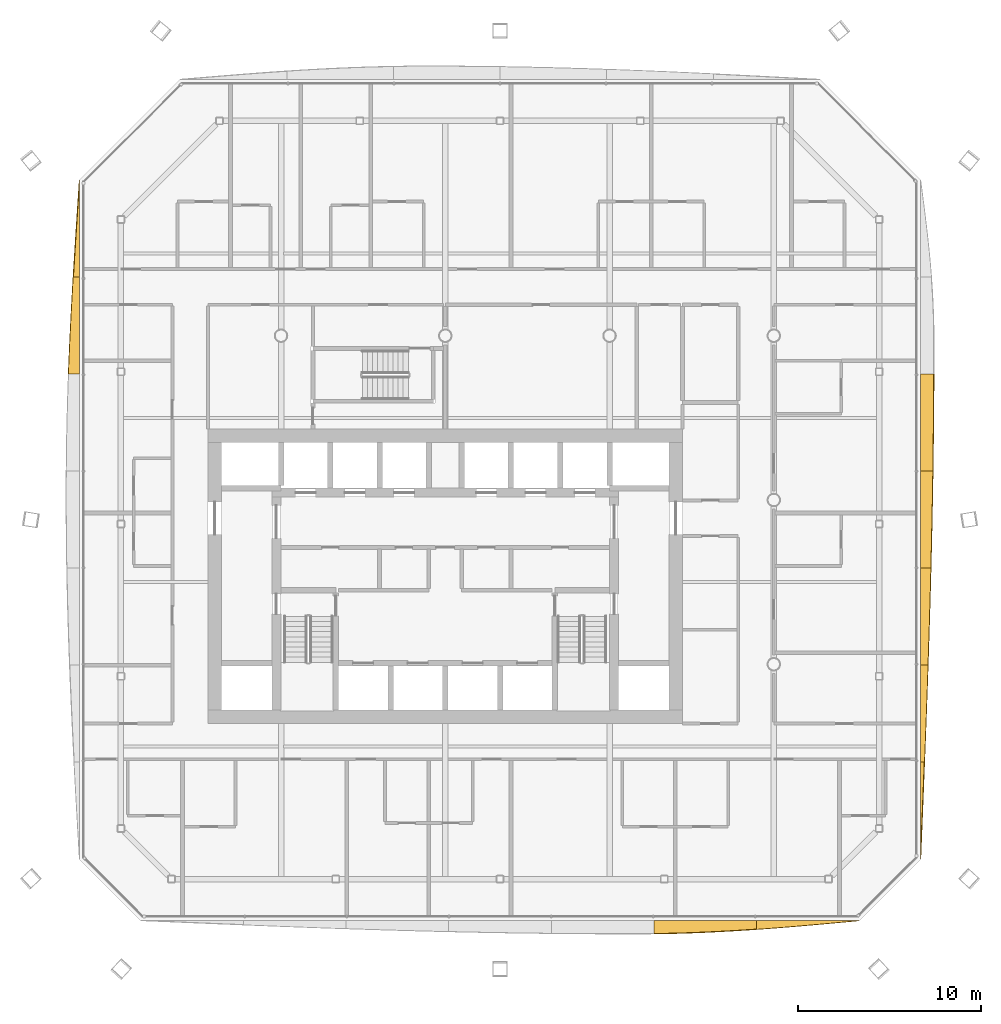
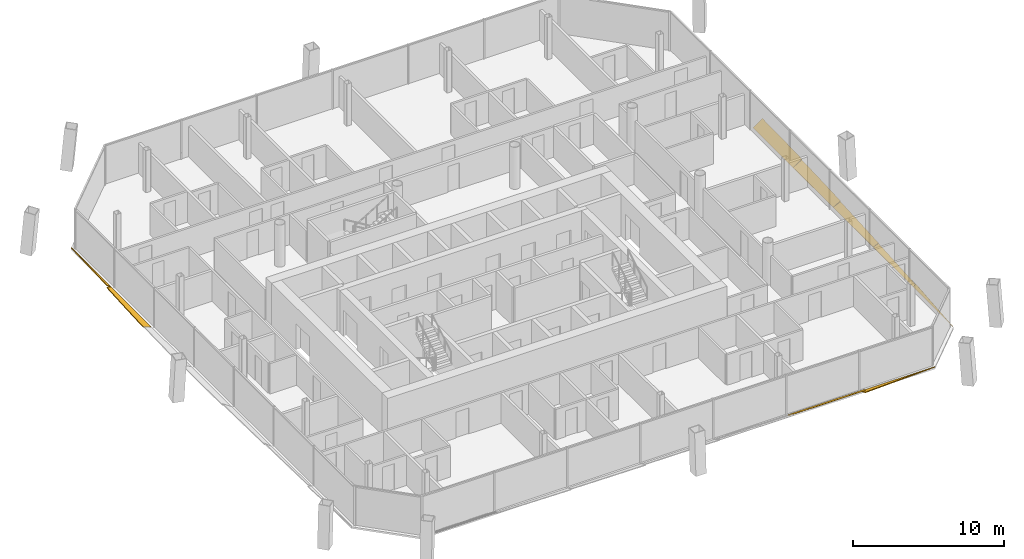
# One storey, part 19 of 21: 9 shading devices.
"""IFC4 building model written with IfcOpenShell, lengths in metres."""

from ifc_helpers import new_model, si_unit, direction, frame, origin, place, context, subcontext, project, spatial, polyline, outline, extrude, material, layer, layer_set, type_object, element, save


model = new_model("IFC4")

# Units and contexts
model_context = context("Model", 3, precision=1e-05, world=origin(), true_north=direction((0.0, 1.0)))
body_context = subcontext(model_context, "Body", "Model", "MODEL_VIEW")
ifc_project = project(units=[si_unit("LENGTHUNIT", "METRE"), si_unit("AREAUNIT", "SQUARE_METRE"), si_unit("VOLUMEUNIT", "CUBIC_METRE"), si_unit("PLANEANGLEUNIT", "RADIAN"), si_unit("MASSUNIT", "GRAM", prefix="KILO")], contexts=[model_context])

# Site, building, storey
site_placement = place(None, origin())
site = spatial("IfcSite", under=ifc_project, at=site_placement, CompositionType="ELEMENT")
building_placement = place(site_placement, origin())
building = spatial("IfcBuilding", under=site, at=building_placement, Name="Tskaro Facet Tower", CompositionType="ELEMENT")
storey_placement = place(building_placement, frame((0.0, 0.0, 135.10009765625)))
storey = spatial("IfcBuildingStorey", under=building, at=storey_placement, Name="L32", CompositionType="ELEMENT", Elevation=135.10009765625)

# Shading devices
ifc_material = material(Name="Bronze anodised aluminium 6063-T6", Category="aluminium")
ifc_layer = layer(ifc_material, 0.06005859375, Name="Bronze anodised aluminium 6063-T6")
ifc_layer_set = layer_set([ifc_layer], Name="Bronze anodised aluminium 6063-T6")
shading_device_type = type_object("IfcShadingDeviceType", Name="Bronze sun blade (FN1)", PredefinedType="USERDEFINED", material=ifc_layer_set)
shading_device_1_placement = place(storey_placement, frame((11.433349609375, -23.031494140625, 0.0458984375), z_axis=(-1.3960396e-05, 0.642804878944, 0.766029952033), x_axis=(0.999999999903, 8.97381e-06, 1.0694081e-05)))
element("IfcShadingDevice", 1, at=shading_device_1_placement, inside=storey, type_object=shading_device_type, Name="Fin blade south 6", ObjectType="FIN", PredefinedType="USERDEFINED", context=body_context, shape_type="SweptSolid", body=[
    extrude(outline(polyline([(0.0, 0.0), (5.622314452577126, 4.7622855816209186e-21), (5.622314453332775, -0.6247150224843523), (4.919677735192264, -0.6865770844928645), (4.216796874508698, -0.7429058011959764), (3.5139160136779415, -0.7931701997462214), (2.811279295515839, -0.8371832611123237), (2.1083984383524523, -0.8746010314780932), (1.4057617182160131, -0.9051096412737025), (0.7028808604291847, -0.9281480334053234), (-1.3756600837324984e-09, -0.9439333111505941), (0.0, 0.0)])), origin(), (0.0, 0.0, -1.0), 0.06005859375),
])
shading_device_2_placement = place(storey_placement, frame((17.0556640625, -23.049560546875, 0.056396484375), z_axis=(7.636287e-06, 0.341784541241, 0.939778339456), x_axis=(0.999999999971, -2.609965e-06, -7.176417e-06)))
element("IfcShadingDevice", 2, at=shading_device_2_placement, inside=storey, type_object=shading_device_type, Name="Fin blade south 7", ObjectType="FIN", PredefinedType="USERDEFINED", context=body_context, shape_type="SweptSolid", body=[
    extrude(outline(polyline([(0.0, 0.0), (5.622314452961074, -2.3811427908104593e-21), (4.919433593789222, -0.06935398367757997), (4.2167968750828235, -0.13793620965015488), (3.5139160155918905, -0.20574667791772472), (2.8112792975217267, -0.2717007492126053), (2.1083984372330926, -0.33565242895514985), (1.4055175775806934, -0.3969759540200001), (0.7028808590299821, -0.45489956670215087), (-3.0622555588744593e-10, -0.5091938289304393), (0.0, 0.0)])), origin(), (0.0, 0.0, -1.0), 0.06005859375),
])
shading_device_3_placement = place(storey_placement, frame((26.031494140625, -19.677978515625, 0.0458984375), z_axis=(-0.642643485284, -2.166644e-05, 0.766165354446), x_axis=(-1.3923797e-05, 0.999999999765, 1.6600076e-05)))
element("IfcShadingDevice", 3, at=shading_device_3_placement, inside=storey, type_object=shading_device_type, Name="Fin blade east 1", ObjectType="FIN", PredefinedType="USERDEFINED", context=body_context, shape_type="SweptSolid", body=[
    extrude(outline(polyline([(0.0, 0.0), (5.314941405002491, 9.003860967639706e-21), (5.314941407504259, -0.2760500515177407), (4.6503906260478605, -0.24225884111881837), (3.986083981163653, -0.20831073533770983), (3.321777343078174, -0.17398852537953807), (2.6574707009399425, -0.1395094200391801), (1.9931640622010747, -0.10484326261029053), (1.3286132821838763, -0.06983315771068316), (0.6643066393922559, -0.035010104899607375), (0.0, 0.0)])), origin(), (0.0, 0.0, -1.0), 0.06005859375),
])
shading_device_4_placement = place(storey_placement, frame((26.049560546875, -14.363037109375, 0.056396484375), z_axis=(-0.341735647023, -1.57959e-06, 0.939796120204), x_axis=(-5.39802e-07, 0.999999999999, 1.484493e-06)))
element("IfcShadingDevice", 4, at=shading_device_4_placement, inside=storey, type_object=shading_device_type, Name="Fin blade east 2", ObjectType="FIN", PredefinedType="USERDEFINED", context=body_context, shape_type="SweptSolid", body=[
    extrude(outline(polyline([(0.0, 0.0), (5.31469726561837, 5.627154610833394e-22), (5.314697265656687, -0.4307247466933581), (4.6503906249663185, -0.40654992951124963), (3.986083984407738, -0.38214566991698157), (3.321777343882096, -0.3569696515317857), (2.6572265625008167, -0.33148075917998127), (1.9929199217774753, -0.30522010803724897), (1.3286132810541338, -0.2789594568945167), (0.6643066407261553, -0.2520104785153057), (3.575193534229731e-11, -0.22497806858164565), (0.0, 0.0)])), origin(), (0.0, 0.0, -1.0), 0.06005859375),
])
shading_device_5_placement = place(storey_placement, frame((26.044677734375, -9.04833984375, 0.05419921875), z_axis=(-0.422843549533, 4.939499e-06, 0.906202699507), x_axis=(2.088635e-06, 0.999999999988, -4.476187e-06)))
element("IfcShadingDevice", 5, at=shading_device_5_placement, inside=storey, type_object=shading_device_type, Name="Fin blade east 3", ObjectType="FIN", PredefinedType="USERDEFINED", context=body_context, shape_type="SweptSolid", body=[
    extrude(outline(polyline([(0.0, 0.0), (5.314941406185162, 0.0), (5.314941406115947, -0.6218062337257013), (4.650634766450532, -0.6025881984839812), (3.986083984120436, -0.5824851996685129), (3.321777343581134, -0.5617332524892475), (2.6574707036977094, -0.5401111160527481), (1.9931640622845215, -0.5178252569359376), (1.32885742152721, -0.494669208561893), (0.6643066402178791, -0.4709674451125129), (-3.9347676070099526e-10, -0.44671996658779717), (0.0, 0.0)])), origin(), (0.0, 0.0, -1.0), 0.06005859375),
])
shading_device_6_placement = place(storey_placement, frame((26.0400390625, -3.7333984375, 0.0517578125), z_axis=(-0.500150759191, 1.628702e-06, 0.865938345425), x_axis=(8.14596e-07, 0.999999999999, -1.410355e-06)))
element("IfcShadingDevice", 6, at=shading_device_6_placement, inside=storey, type_object=shading_device_type, Name="Fin blade east 4", ObjectType="FIN", PredefinedType="USERDEFINED", context=body_context, shape_type="SweptSolid", body=[
    extrude(outline(polyline([(0.0, 0.0), (5.3149414062429505, 5.627413104774816e-22), (5.314941406286838, -0.778132359259932), (4.650390624895299, -0.7657776092163386), (3.9860839843662283, -0.75221089490046), (3.3217773439291802, -0.7377657341601029), (2.6574707030409526, -0.7223528233853473), (1.9929199217651958, -0.7057279483383061), (1.328613281206461, -0.6882246268667866), (0.664306640739748, -0.669842858970789), (2.0731657771456462e-11, -0.6507047517692564), (0.0, 0.0)])), origin(), (0.0, 0.0, -1.0), 0.06005859375),
])
shading_device_7_placement = place(storey_placement, frame((26.03564453125, 1.58154296875, 0.049072265625), z_axis=(-0.573626485634, 4.845938e-06, 0.819116997111), x_axis=(2.779758e-06, 0.999999999988, -3.96939e-06)))
element("IfcShadingDevice", 7, at=shading_device_7_placement, inside=storey, type_object=shading_device_type, Name="Fin blade east 5", ObjectType="FIN", PredefinedType="USERDEFINED", context=body_context, shape_type="SweptSolid", body=[
    extrude(outline(polyline([(0.0, 0.0), (5.3146972655625975, -2.2508618443333574e-21), (5.314697265648489, -0.8869945750745736), (4.650390624930618, -0.8831344287529597), (3.9860839844054077, -0.8780542269026825), (3.321777343394206, -0.8715539897881174), (2.6572265626293188, -0.8640336768805144), (1.9929199217130005, -0.8554333539729693), (1.3286132809893423, -0.8456129755367612), (0.6643066411369966, -0.8347725213075152), (-1.7043016250952338e-10, -0.822652077342702), (0.0, 0.0)])), origin(), (0.0, 0.0, -1.0), 0.06005859375),
])
shading_device_8_placement = place(storey_placement, frame((-20.031494140625, 17.52587890625, 0.0458984375), z_axis=(0.642989373497, -2.8261981e-05, 0.76587509737), x_axis=(-1.8172154e-05, -0.999999999601, -2.1645148e-05)))
element("IfcShadingDevice", 8, at=shading_device_8_placement, inside=storey, type_object=shading_device_type, Name="Fin blade west 1", ObjectType="FIN", PredefinedType="USERDEFINED", context=body_context, shape_type="SweptSolid", body=[
    extrude(outline(polyline([(0.0, 0.0), (5.31469726350247, 0.0), (5.314697267794068, -0.4432863427825984), (4.650390622961481, -0.3914591465541684), (3.986083981520491, -0.33825610611535817), (3.321777343471095, -0.2836772214661677), (2.6572265620560347, -0.2282234334867685), (1.992919918525113, -0.17189474217716066), (1.3286132811265503, -0.1150651099873812), (0.6643066401393257, -0.05770453551998813), (0.0, 0.0)])), origin(), (0.0, 0.0, -1.0), 0.06005859375),
])
shading_device_9_placement = place(storey_placement, frame((-20.049560546875, 12.211181640625, 0.056396484375), z_axis=(0.341815070589, 3.526385e-06, 0.939767235812), x_axis=(1.205371e-06, -0.999999999994, 3.313981e-06)))
element("IfcShadingDevice", 9, at=shading_device_9_placement, inside=storey, type_object=shading_device_type, Name="Fin blade west 2", ObjectType="FIN", PredefinedType="USERDEFINED", context=body_context, shape_type="SweptSolid", body=[
    extrude(outline(polyline([(0.0, 0.0), (5.3149414062169535, 1.1254826209549633e-21), (5.3149414063382805, -0.6398713391281965), (4.650634765651368, -0.612067168721564), (3.986083984560748, -0.5819477272372616), (3.3217773440221348, -0.5497424500355971), (2.65747070311625, -0.5156807724768773), (1.993164062137375, -0.479533259200795), (1.3288574216003057, -0.44161279651262597), (0.6643066405857645, -0.4021488197726772), (4.9467645598906463e-11, -0.3613707643412558), (0.0, 0.0)])), origin(), (0.0, 0.0, -1.0), 0.06005859375),
])

save(model, "model.ifc")
